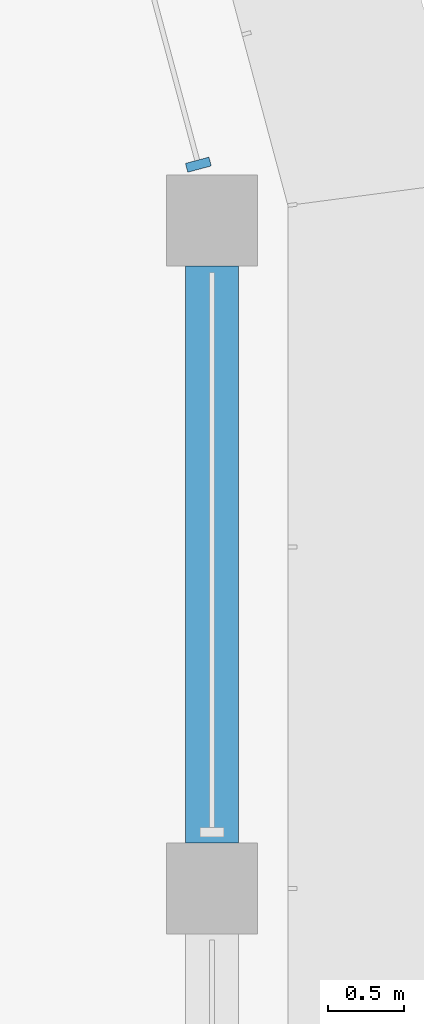
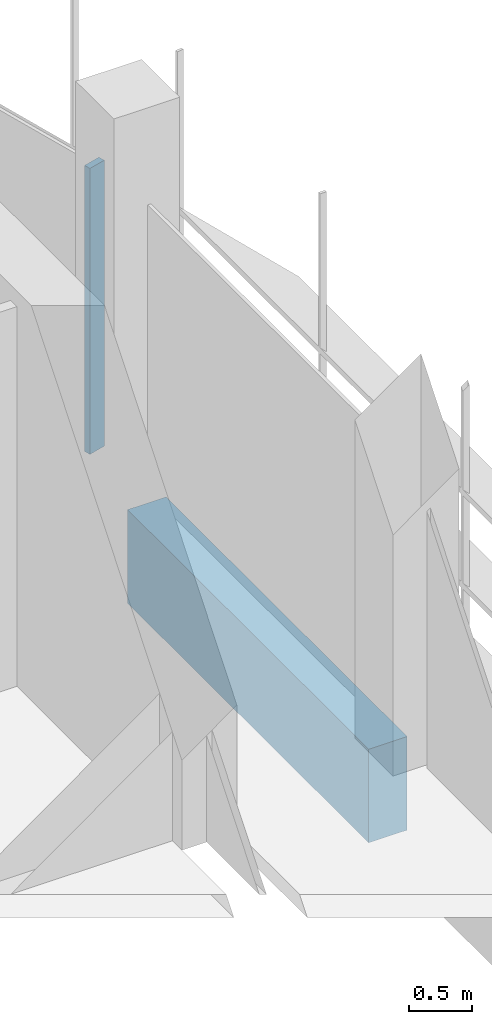
# One storey, part 10 of 19: 1 beam, 1 member, 1 element without a shape of its own.
"""IFC4 building model written with IfcOpenShell, lengths in metres."""

import ifcopenshell
import ifcopenshell.guid

model = None  # the IFC model being written
_history = None  # IfcOwnerHistory: only IFC2X3 demands one
_inside = {}  # id of a spatial element -> (the spatial element, [elements in it])
_under = {}  # id of a project, library or spatial element -> (it, [spatial elements below it])
_declared = {}  # id of a project -> (the project, [libraries it declares])
_typed = {}  # id of a type object -> (the type object, [elements of that type])
_made_of = {}  # id of a material, layer set ... -> (it, [elements and type objects made of it])


def new_model(schema):
    """Start an empty IFC model of exactly this schema.

    Asked for "IFC4X3", IfcOpenShell would pick the latest addendum, in which some entities
    have other attributes; the version numbers below select the first issue.
    IFC2X3 requires an IfcOwnerHistory on every rooted entity: one is made here for all.
    """
    global model, _history
    if schema == "IFC4X3":
        model = ifcopenshell.file(schema_version=(4, 3, 0, 0))
    else:
        model = ifcopenshell.file(schema=schema)
    _inside.clear()
    _under.clear()
    _declared.clear()
    _typed.clear()
    _made_of.clear()
    _history = None
    if model.schema == "IFC2X3":
        org = make("IfcOrganization", Name="unknown")
        user = make(
            "IfcPersonAndOrganization",
            ThePerson=make("IfcPerson", FamilyName="unknown"),
            TheOrganization=org,
        )
        app = make(
            "IfcApplication",
            ApplicationDeveloper=org,
            Version="unknown",
            ApplicationFullName="unknown",
            ApplicationIdentifier="unknown",
        )
        _history = make(
            "IfcOwnerHistory",
            OwningUser=user,
            OwningApplication=app,
            ChangeAction="ADDED",
            CreationDate=0,
        )
    return model


def make(cls, **values):
    """One entity of the class cls with the attributes given. An attribute that is None is left unset."""
    return model.create_entity(
        cls, **{name: value for name, value in values.items() if value is not None}
    )


def rooted(cls, **values):
    """An entity with a GlobalId (a new one), such as an element, a storey or a relation."""
    return make(cls, GlobalId=ifcopenshell.guid.new(), OwnerHistory=_history, **values)


def si_unit(unit_type, name, prefix=None):
    """IfcSIUnit, for example si_unit("LENGTHUNIT", "METRE", prefix="MILLI")."""
    return make("IfcSIUnit", UnitType=unit_type, Prefix=prefix, Name=name)


def assignment(units):
    """IfcUnitAssignment: the units of a project."""
    return None if units is None else make("IfcUnitAssignment", Units=units)


def point(xyz):
    """IfcCartesianPoint."""
    return None if xyz is None else make("IfcCartesianPoint", Coordinates=xyz)


def direction(xyz):
    """IfcDirection."""
    return None if xyz is None else make("IfcDirection", DirectionRatios=xyz)


def frame(location, z_axis=None, x_axis=None):
    """IfcAxis2Placement3D, a coordinate frame: its origin and axes. An axis left out is left unset."""
    return make(
        "IfcAxis2Placement3D",
        Location=point(location),
        Axis=direction(z_axis),
        RefDirection=direction(x_axis),
    )


def frame_2d(location, x_axis=None):
    """IfcAxis2Placement2D, a coordinate frame in the plane: its origin and x axis."""
    return make(
        "IfcAxis2Placement2D", Location=point(location), RefDirection=direction(x_axis)
    )


def origin():
    """The frame at (0, 0, 0) with its axes left unset."""
    return frame((0.0, 0.0, 0.0))


def origin_2d():
    """The frame at (0, 0) in the plane with its x axis left unset."""
    return frame_2d((0.0, 0.0))


def place(relative_to, where):
    """IfcLocalPlacement: puts the frame where relative to a parent placement (None: the world)."""
    return make(
        "IfcLocalPlacement", PlacementRelTo=relative_to, RelativePlacement=where
    )


def context(
    kind, dimensions, precision=None, world=None, true_north=None, identifier=None
):
    """IfcGeometricRepresentationContext, for example the 3D "Model" context."""
    return make(
        "IfcGeometricRepresentationContext",
        ContextIdentifier=identifier,
        ContextType=kind,
        CoordinateSpaceDimension=dimensions,
        Precision=precision,
        WorldCoordinateSystem=world,
        TrueNorth=true_north,
    )


def subcontext(parent, identifier, kind, view, scale=None):
    """IfcGeometricRepresentationSubContext, for example "Body" below "Model"."""
    return make(
        "IfcGeometricRepresentationSubContext",
        ContextIdentifier=identifier,
        ContextType=kind,
        ParentContext=parent,
        TargetScale=scale,
        TargetView=view,
    )


def project(units=None, contexts=None):
    """IfcProject with its units and contexts."""
    return rooted(
        "IfcProject",
        Name="project",
        RepresentationContexts=contexts,
        UnitsInContext=assignment(units),
    )


def spatial(cls, under=None, at=None, **own):
    """A site, building, storey or space (cls), placed at a placement, below another one or the project."""
    s = rooted(cls, ObjectPlacement=at, **own)
    if under is not None:
        _under.setdefault(under.id(), (under, []))[1].append(s)
    return s


def polyline(points):
    """IfcPolyline through the points."""
    return make("IfcPolyline", Points=[point(p) for p in points])


def profile(cls, at=None, kind="AREA", **sizes):
    """A parametric profile (cls). Its sizes go by their IFC names, for example OverallWidth=200.0."""
    return make(cls, ProfileType=kind, Position=at, **sizes)


def rectangle(**sizes):
    """IfcRectangleProfileDef."""
    return profile("IfcRectangleProfileDef", **sizes)


def outline(outer, holes=None, kind="AREA"):
    """IfcArbitraryClosedProfileDef: a profile drawn as a closed curve; with holes, ...WithVoids."""
    if holes is None:
        return make("IfcArbitraryClosedProfileDef", ProfileType=kind, OuterCurve=outer)
    return make(
        "IfcArbitraryProfileDefWithVoids",
        ProfileType=kind,
        OuterCurve=outer,
        InnerCurves=holes,
    )


def extrude(swept, where, along, depth):
    """IfcExtrudedAreaSolid: the profile swept, set in the frame where, extruded along a direction by depth."""
    return make(
        "IfcExtrudedAreaSolid",
        SweptArea=swept,
        Position=where,
        ExtrudedDirection=direction(along),
        Depth=depth,
    )


def shape(context_of_items, identifier, shape_type, items):
    """IfcShapeRepresentation: the items that make up one representation, for example the "Body"."""
    return make(
        "IfcShapeRepresentation",
        ContextOfItems=context_of_items,
        RepresentationIdentifier=identifier,
        RepresentationType=shape_type,
        Items=items,
    )


def source(mapping_origin, context_of_items, identifier, shape_type, items):
    """IfcRepresentationMap: a shape defined once, which mapped items show again and again."""
    return make(
        "IfcRepresentationMap",
        MappingOrigin=mapping_origin,
        MappedRepresentation=shape(context_of_items, identifier, shape_type, items),
    )


def transform(
    local_origin,
    x_axis=None,
    y_axis=None,
    z_axis=None,
    scale=None,
    scale2=None,
    scale3=None,
    uniform=True,
):
    """IfcCartesianTransformationOperator3D, or its non-uniform kind. x_axis, y_axis, z_axis: its Axis1, 2, 3."""
    if uniform:
        return make(
            "IfcCartesianTransformationOperator3D",
            Axis1=direction(x_axis),
            Axis2=direction(y_axis),
            LocalOrigin=point(local_origin),
            Scale=scale,
            Axis3=direction(z_axis),
        )
    return make(
        "IfcCartesianTransformationOperator3DnonUniform",
        Axis1=direction(x_axis),
        Axis2=direction(y_axis),
        LocalOrigin=point(local_origin),
        Scale=scale,
        Axis3=direction(z_axis),
        Scale2=scale2,
        Scale3=scale3,
    )


def mapped(mapping_source, mapping_target):
    """IfcMappedItem: shows the shape of a source again, moved by a transform."""
    return make(
        "IfcMappedItem", MappingSource=mapping_source, MappingTarget=mapping_target
    )


def material(Name=None, Category=None):
    """IfcMaterial."""
    return make("IfcMaterial", Name=Name, Category=Category)


def material_profile(
    of_material, cross_section, Name=None, Category=None, Priority=None
):
    """IfcMaterialProfile: a cross section and its material."""
    return make(
        "IfcMaterialProfile",
        Name=Name,
        Material=of_material,
        Profile=cross_section,
        Priority=Priority,
        Category=Category,
    )


def profile_set(profiles, Name=None, composite=None):
    """IfcMaterialProfileSet."""
    return make(
        "IfcMaterialProfileSet",
        Name=Name,
        MaterialProfiles=profiles,
        CompositeProfile=composite,
    )


def made_of(thing, what):
    """Note that an element or type object is made of a material, layer set ...; save() writes the relation."""
    if what is not None:
        _made_of.setdefault(what.id(), (what, []))[1].append(thing)
    return thing


def type_object(cls, material=None, **own):
    """A type object (cls), such as IfcWallType, which elements share."""
    return made_of(rooted(cls, **own), material)


def element(
    cls,
    number,
    at=None,
    inside=None,
    cuts=None,
    type_object=None,
    material=None,
    context=None,
    identifier="Body",
    shape_type=None,
    held_by="IfcProductDefinitionShape",
    body=None,
    shapes=None,
    **own,
):
    """One element of the class cls, such as IfcWall. Its Tag is "e" and its number.

    at: its placement. inside: the storey or other place that contains it. cuts: it is an
    opening in that element (IfcRelVoidsElement). A single representation is given by context,
    identifier, shape_type and body (its items); several are given by shapes. held_by: the class
    of the entity that holds the representations. save() writes the other relations.
    """
    e = rooted(cls, Tag="e%d" % number, ObjectPlacement=at, **own)
    if body is not None:
        shapes = [shape(context, identifier, shape_type, body)]
    if shapes is not None:
        e.Representation = make(held_by, Representations=shapes)
    if inside is not None:
        _inside.setdefault(inside.id(), (inside, []))[1].append(e)
    if cuts is not None:
        rooted(
            "IfcRelVoidsElement", RelatingBuildingElement=cuts, RelatedOpeningElement=e
        )
    if type_object is not None:
        _typed.setdefault(type_object.id(), (type_object, []))[1].append(e)
    return made_of(e, material)


def aggregate(whole, parts):
    """IfcRelAggregates: a whole, such as a stair, and the parts it consists of."""
    return rooted("IfcRelAggregates", RelatingObject=whole, RelatedObjects=parts)


def save(model, path):
    """Write the relations noted so far, then the file.

    IfcRelAggregates (storeys below a building ...), IfcRelContainedInSpatialStructure (elements
    in a storey), IfcRelDefinesByType, IfcRelAssociatesMaterial and IfcRelDeclares: one each for
    every whole, place, type object, material and project.
    """
    for whole, parts in _under.values():
        aggregate(whole, parts)
    for where, things in _inside.values():
        rooted(
            "IfcRelContainedInSpatialStructure",
            RelatedElements=things,
            RelatingStructure=where,
        )
    for kind, things in _typed.values():
        rooted("IfcRelDefinesByType", RelatedObjects=things, RelatingType=kind)
    for what, things in _made_of.values():
        rooted("IfcRelAssociatesMaterial", RelatedObjects=things, RelatingMaterial=what)
    for by, libraries in _declared.values():
        rooted("IfcRelDeclares", RelatingContext=by, RelatedDefinitions=libraries)
    model.write(path)


model = new_model("IFC4")

# Units and contexts
model_context = context("Model", 3, precision=1e-05, world=origin(), true_north=direction((0.0, 1.0)))
body_context = subcontext(model_context, "Body", "Model", "MODEL_VIEW")
ifc_project = project(units=[si_unit("LENGTHUNIT", "METRE"), si_unit("AREAUNIT", "SQUARE_METRE"), si_unit("VOLUMEUNIT", "CUBIC_METRE"), si_unit("PLANEANGLEUNIT", "RADIAN"), si_unit("MASSUNIT", "GRAM", prefix="KILO")], contexts=[model_context])

# Site, building, storey
site_placement = place(None, origin())
site = spatial("IfcSite", under=ifc_project, at=site_placement, CompositionType="ELEMENT")
building_placement = place(site_placement, origin())
building = spatial("IfcBuilding", under=site, at=building_placement, Name="Zarbagh Exchange Tower", CompositionType="ELEMENT")
storey_placement = place(building_placement, frame((0.0, 0.0, 276.39990234375)))
storey = spatial("IfcBuildingStorey", under=building, at=storey_placement, Name="L68", CompositionType="ELEMENT", Elevation=276.39990234375)

# Beam
ifc_material_1 = material(Name="Concrete C40/50", Category="concrete")
ifc_material_profile = material_profile(ifc_material_1, rectangle(XDim=0.35009765625, YDim=0.89990234375, at=origin_2d()), Name="RC spandrel beam 350 x 900 C40/50")
ifc_profile_set = profile_set([ifc_material_profile], Name="Concrete C40/50")
beam_type = type_object("IfcBeamType", Name="RC spandrel beam 350 x 900 C40/50", PredefinedType="SPANDREL", material=ifc_profile_set)
beam_placement = place(storey_placement, frame((6.25, 24.35009765625, -0.599853515625), z_axis=(0.0, -1.0, 0.0), x_axis=(1.0, 0.0, 0.0)))
element("IfcBeam", 1, at=beam_placement, inside=storey, type_object=beam_type, Name="RC spandrel beam", PredefinedType="SPANDREL", context=body_context, shape_type="SweptSolid", body=[
    extrude(rectangle(XDim=0.35009765625, YDim=0.89990234375, at=origin_2d()), origin(), (0.0, 0.0, 1.0), 3.800048828125),
])

# Curtain wall, member
ifc_material_2 = material(Name="Anodised aluminium frame and glazing", Category="aluminium")
curtain_wall_type = type_object("IfcCurtainWallType", Name="CWB Ribbon glazing, upper zones", PredefinedType="NOTDEFINED", material=ifc_material_2)
curtain_wall_placement = place(storey_placement, origin())
curtain_wall = element("IfcCurtainWall", 2, at=curtain_wall_placement, inside=storey, type_object=curtain_wall_type, Name="CWB68 curtain wall", PredefinedType="NOTDEFINED")
ifc_material_3 = material(Name="Anodised aluminium frame", Category="aluminium")
member_type = type_object("IfcMemberType", Name="MUB Mullion, anodised aluminium frame", PredefinedType="MULLION", material=ifc_material_3)
shared_shape = source(origin(), body_context, "Body", "SweptSolid", [
    extrude(outline(polyline([(0.0, -0.080078125), (0.06005859375, -0.080078125), (0.06005859375, 0.080078125), (0.0, 0.080078125), (0.0, -0.080078125)])), origin(), (0.0, 0.0, 1.0), 2.75),
])
member_placement = place(storey_placement, origin())
member = element("IfcMember", 3, at=member_placement, type_object=member_type, Name="CWB68 mullion 1.1", PredefinedType="MULLION", context=body_context, shape_type="MappedRepresentation", body=[
    mapped(shared_shape, transform((6.16796875, 24.989990234375, 0.0), x_axis=(-0.258824779902, 0.965924289636, 0.0), y_axis=(-0.965924289636, -0.258824779902, 0.0), z_axis=(0.0, 0.0, 1.0))),
])
aggregate(curtain_wall, [member])

save(model, "model.ifc")
